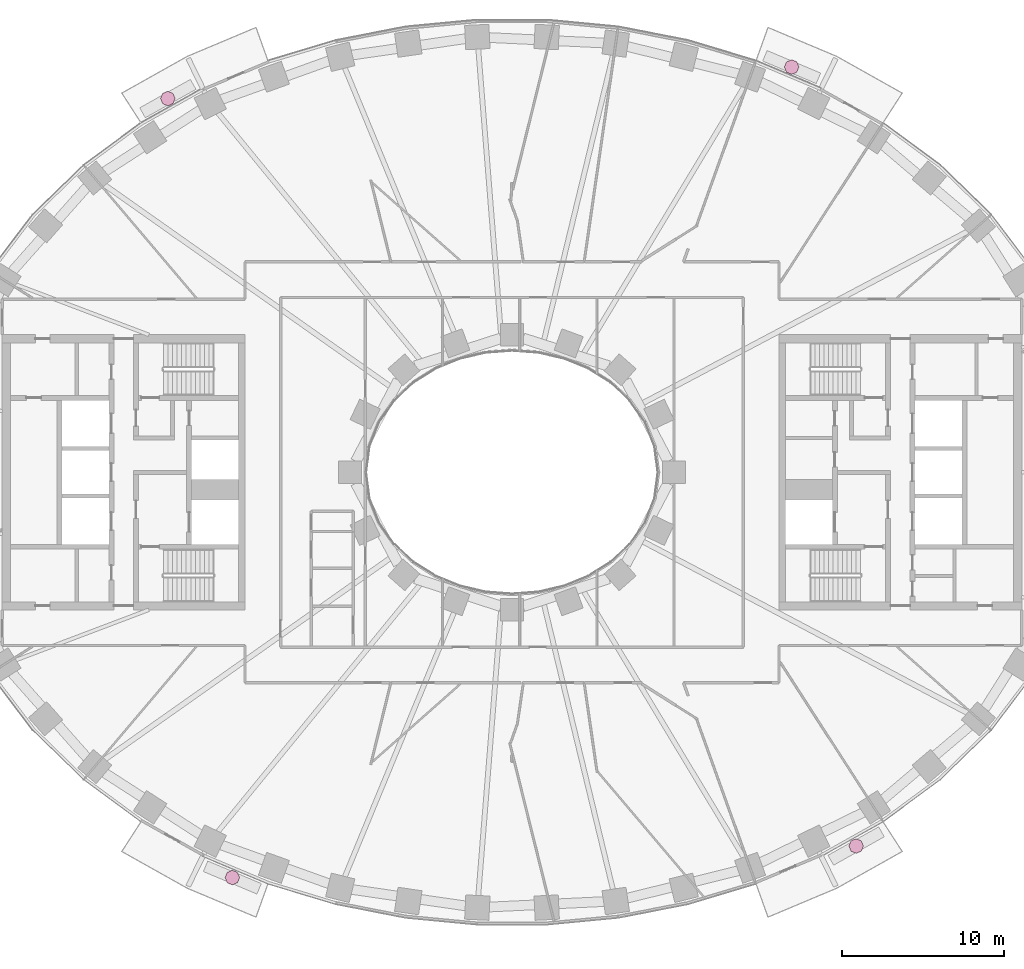
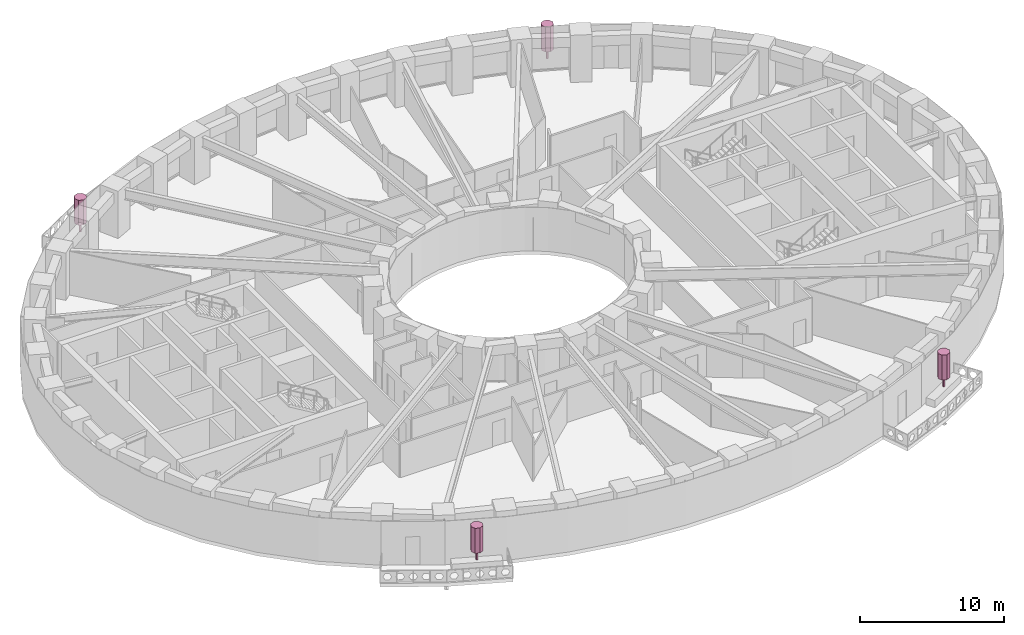
# One storey, part 15 of 15: 4 furnishings.
"""IFC4 building model written with IfcOpenShell, lengths in metres."""

from ifc_helpers import new_model, si_unit, direction, frame, origin, origin_2d, place, context, subcontext, project, spatial, polyline, rectangle, outline, extrude, material, type_object, element, save


model = new_model("IFC4")

# Units and contexts
model_context = context("Model", 3, precision=1e-05, world=origin(), true_north=direction((0.0, 1.0)))
body_context = subcontext(model_context, "Body", "Model", "MODEL_VIEW")
ifc_project = project(units=[si_unit("LENGTHUNIT", "METRE"), si_unit("AREAUNIT", "SQUARE_METRE"), si_unit("VOLUMEUNIT", "CUBIC_METRE"), si_unit("PLANEANGLEUNIT", "RADIAN"), si_unit("MASSUNIT", "GRAM", prefix="KILO")], contexts=[model_context])

# Site, building, storey
site_placement = place(None, origin())
site = spatial("IfcSite", under=ifc_project, at=site_placement, CompositionType="ELEMENT")
building_placement = place(site_placement, origin())
building = spatial("IfcBuilding", under=site, at=building_placement, Name="Noorbagh Ring Tower", CompositionType="ELEMENT")
storey_placement = place(building_placement, frame((0.0, 0.0, 38.5)))
storey = spatial("IfcBuildingStorey", under=building, at=storey_placement, Name="L07", CompositionType="ELEMENT", Elevation=38.5)

# Furnishings
ifc_material = material(Name="Planting foliage green")
furnishing_element_type = type_object("IfcFurnishingElementType", Name="ENV-TREE", material=ifc_material)
for number, where, z_axis, x_axis, name in (
    (1, (17.280517578125, 25.041259765625, 0.60009765625), (0.0, 0.0, 1.0), (1.0, 0.0, 0.0), "Tree BN02"),
    (2, (-21.26513671875, 23.093017578125, 0.60009765625), (0.0, 0.0, 1.0), (1.0, 0.0, 0.0), "Tree BN05"),
    (3, (-17.280517578125, -25.041259765625, 0.60009765625), (0.0, 0.0, 1.0), (1.0, 0.0, 0.0), "Tree BS02"),
    (4, (21.26513671875, -23.093017578125, 0.60009765625), (0.0, 0.0, 1.0), (1.0, 0.0, 0.0), "Tree BS05"),
):
    element("IfcFurnishingElement", number, at=place(storey_placement, frame(where, z_axis=z_axis, x_axis=x_axis)), inside=storey, type_object=furnishing_element_type, Name=name, context=body_context, shape_type="SweptSolid", body=[
        extrude(rectangle(XDim=0.1201171875, YDim=0.1201171875, at=origin_2d()), origin(), (0.0, 0.0, 1.0), 0.825927734375),
        extrude(outline(polyline([(0.449951171875, 0.0), (0.318115234375, 0.318115234375), (0.0, 0.449951171875), (-0.318115234375, 0.318115234375), (-0.449951171875, 0.0), (-0.318115234375, -0.318115234375), (0.0, -0.449951171875), (0.318115234375, -0.318115234375), (0.449951171875, 0.0)])), frame((0.0, 0.0, 0.825927734375)), (0.0, 0.0, 1.0), 2.1240234375),
    ])

save(model, "model.ifc")
